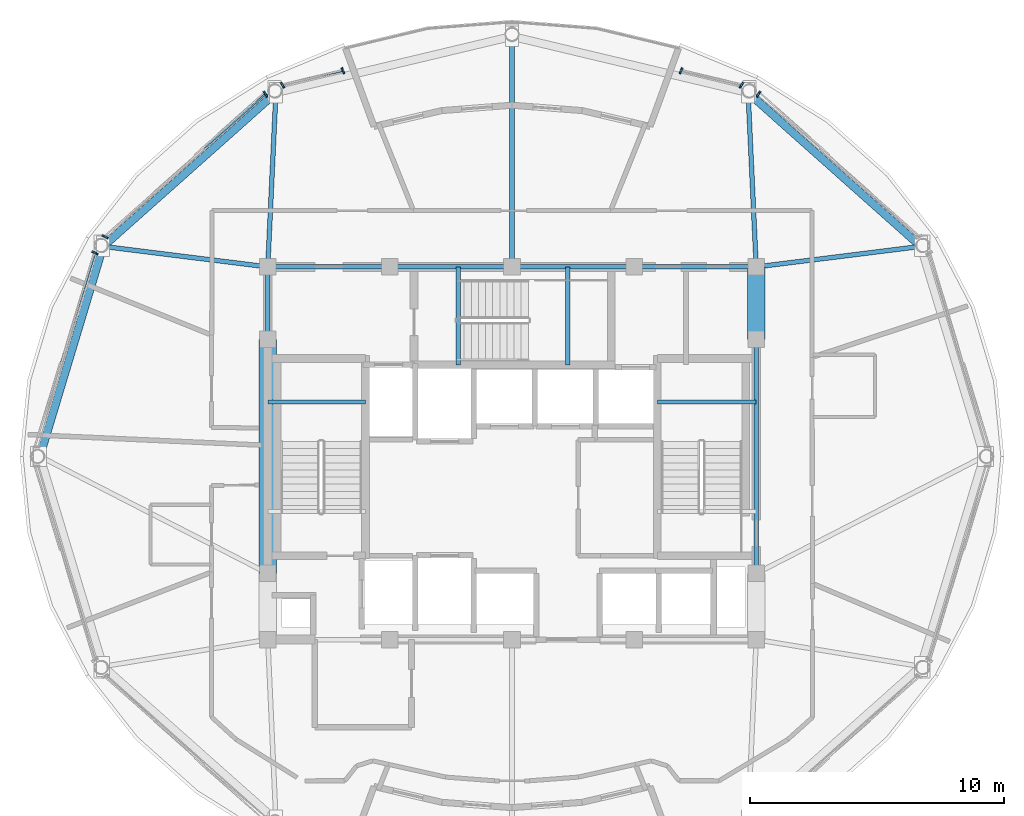
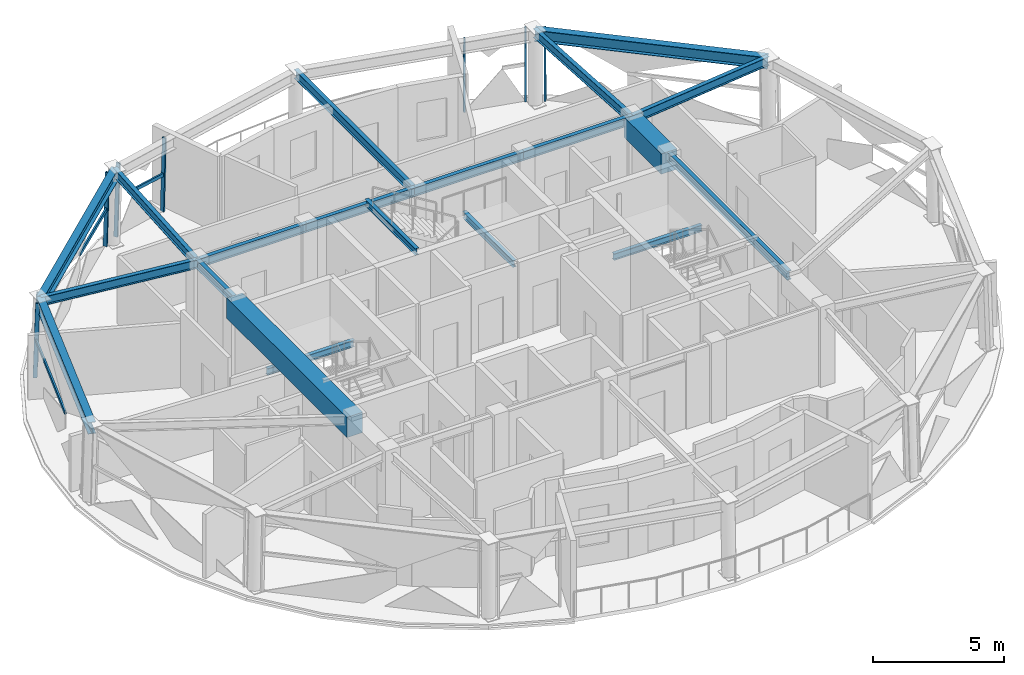
# One storey, part 3 of 13: 20 beams, 11 members, 5 elements without a shape of their own.
"""IFC4 building model written with IfcOpenShell, lengths in metres."""

from ifc_helpers import new_model, si_unit, direction, frame, origin, origin_2d, place, context, subcontext, project, spatial, rectangle, hollow_rectangle, i_section, extrude, material, layer, layer_set, material_profile, profile_set, type_object, element, aggregate, save


model = new_model("IFC4")

# Units and contexts
model_context = context("Model", 3, precision=1e-05, world=origin(), true_north=direction((0.0, 1.0)))
body_context = subcontext(model_context, "Body", "Model", "MODEL_VIEW")
ifc_project = project(units=[si_unit("LENGTHUNIT", "METRE"), si_unit("AREAUNIT", "SQUARE_METRE"), si_unit("VOLUMEUNIT", "CUBIC_METRE"), si_unit("PLANEANGLEUNIT", "RADIAN"), si_unit("MASSUNIT", "GRAM", prefix="KILO")], contexts=[model_context])

# Site, building, storey
site_placement = place(None, origin())
site = spatial("IfcSite", under=ifc_project, at=site_placement, CompositionType="ELEMENT")
building_placement = place(site_placement, origin())
building = spatial("IfcBuilding", under=site, at=building_placement, Name="Vantalir Tower", CompositionType="ELEMENT")
storey_placement = place(building_placement, frame((0.0, 0.0, 286.35009765625)))
storey = spatial("IfcBuildingStorey", under=building, at=storey_placement, Name="L72", CompositionType="ELEMENT", Elevation=286.35009765625)

# Beams
ifc_material_1 = material(Name="Concrete C60/75", Category="concrete")
ifc_material_profile_1 = material_profile(ifc_material_1, rectangle(XDim=0.699951171875, YDim=0.949951171875, at=origin_2d()), Name="Concrete C60/75")
ifc_profile_set_1 = profile_set([ifc_material_profile_1], Name="Concrete C60/75")
beam_type_1 = type_object("IfcBeamType", Name="BM-CB-700x950", PredefinedType="USERDEFINED", material=ifc_profile_set_1)
beam_1_placement = place(storey_placement, frame((41.10009765625, 29.60009765625, 3.094970703125), z_axis=(0.0, 1.0, 0.0), x_axis=(-1.0, 0.0, 0.0)))
element("IfcBeam", 1, at=beam_1_placement, inside=storey, type_object=beam_type_1, Name="L72 Core Coupling Girder 07", ObjectType="GIRDER", PredefinedType="USERDEFINED", context=body_context, shape_type="SweptSolid", body=[
    extrude(rectangle(XDim=0.699951171875, YDim=0.949951171875, at=origin_2d()), origin(), (0.0, 0.0, 1.0), 2.849853515625),
])
beam_2_placement = place(storey_placement, frame((21.89990234375, 29.60009765625, 3.094970703125), z_axis=(0.0, -1.0, 0.0), x_axis=(1.0, 0.0, 0.0)))
element("IfcBeam", 2, at=beam_2_placement, inside=storey, type_object=beam_type_1, Name="L72 Core Coupling Girder 13", ObjectType="GIRDER", PredefinedType="USERDEFINED", context=body_context, shape_type="SweptSolid", body=[
    extrude(rectangle(XDim=0.699951171875, YDim=0.949951171875, at=origin_2d()), origin(), (0.0, 0.0, 1.0), 9.2001953125),
])
ifc_material_2 = material(Name="Steel S355", Category="steel")
ifc_material_profile_2 = material_profile(ifc_material_2, i_section(OverallWidth=0.166015625, OverallDepth=0.306884765625, WebThickness=0.006591796875, FlangeThickness=0.01171875, at=origin_2d()), Name="Steel S355")
ifc_profile_set_2 = profile_set([ifc_material_profile_2], Name="Steel S355")
beam_type_2 = type_object("IfcBeamType", Name="BM-JS-305x165", PredefinedType="JOIST", material=ifc_profile_set_2)
beam_3_placement = place(storey_placement, frame((21.89990234375, 27.14501953125, 1.52099609375), z_axis=(1.0, 0.0, 0.0), x_axis=(0.0, 1.0, 0.0)))
element("IfcBeam", 3, at=beam_3_placement, inside=storey, type_object=beam_type_2, Name="L72 Stair ST1 Half-Landing Support Beam", PredefinedType="JOIST", context=body_context, shape_type="SweptSolid", body=[
    extrude(i_section(OverallWidth=0.166015625, OverallDepth=0.306884765625, WebThickness=0.006591796875, FlangeThickness=0.01171875, at=origin_2d()), origin(), (0.0, 0.0, 1.0), 3.840087890625),
])
beam_4_placement = place(storey_placement, frame((37.2099609375, 27.14501953125, 1.52099609375), z_axis=(1.0, 0.0, 0.0), x_axis=(0.0, 1.0, 0.0)))
element("IfcBeam", 4, at=beam_4_placement, inside=storey, type_object=beam_type_2, Name="L72 Stair ST2 Half-Landing Support Beam", PredefinedType="JOIST", context=body_context, shape_type="SweptSolid", body=[
    extrude(i_section(OverallWidth=0.166015625, OverallDepth=0.306884765625, WebThickness=0.006591796875, FlangeThickness=0.01171875, at=origin_2d()), origin(), (0.0, 0.0, 1.0), 3.89013671875),
])
for number, where, z_axis, x_axis, name in (
    (5, (29.385009765625, 28.60009765625, 3.595947265625), (0.0, 1.0, 0.0), (-1.0, 0.0, 0.0), "L73 Stair ST3 Well Nosing Trimmer Beam"),
    (6, (33.695068359375, 28.60009765625, 1.52099609375), (0.0, 1.0, 0.0), (-1.0, 0.0, 0.0), "L72 Stair ST3 Half-Landing Support Beam"),
):
    element("IfcBeam", number, at=place(storey_placement, frame(where, z_axis=z_axis, x_axis=x_axis)), inside=storey, type_object=beam_type_2, Name=name, PredefinedType="JOIST", context=body_context, shape_type="SweptSolid", body=[
        extrude(i_section(OverallWidth=0.166015625, OverallDepth=0.306884765625, WebThickness=0.006591796875, FlangeThickness=0.01171875, at=origin_2d()), origin(), (0.0, 0.0, 1.0), 3.849853515625),
    ])
ifc_material_profile_3 = material_profile(ifc_material_2, i_section(OverallWidth=0.179931640625, OverallDepth=0.4130859375, WebThickness=0.009521484375, FlangeThickness=0.01611328125, at=origin_2d()), Name="Steel S355")
ifc_profile_set_3 = profile_set([ifc_material_profile_3], Name="Steel S355")
beam_type_3 = type_object("IfcBeamType", Name="BM-RB-406x178", PredefinedType="BEAM", material=ifc_profile_set_3)
beam_5_placement = place(storey_placement, frame((41.10009765625, 20.39990234375, 3.364013671875), z_axis=(0.0, 1.0, 0.0), x_axis=(-1.0, 0.0, 0.0)))
element("IfcBeam", 7, at=beam_5_placement, inside=storey, type_object=beam_type_3, Name="L72 Core Coupling Girder 06", PredefinedType="BEAM", context=body_context, shape_type="SweptSolid", body=[
    extrude(i_section(OverallWidth=0.179931640625, OverallDepth=0.4130859375, WebThickness=0.009521484375, FlangeThickness=0.01611328125, at=origin_2d()), origin(), (0.0, 0.0, 1.0), 9.2001953125),
])
for number, where, z_axis, x_axis, name in (
    (8, (41.10009765625, 32.449951171875, 3.364013671875), (-1.0, 0.0, 0.0), (0.0, -1.0, 0.0), "L72 Core Coupling Girder 08"),
    (9, (36.300048828125, 32.449951171875, 3.364013671875), (-1.0, 0.0, 0.0), (0.0, -1.0, 0.0), "L72 Core Coupling Girder 09"),
    (10, (31.5, 32.449951171875, 3.364013671875), (-1.0, 0.0, 0.0), (0.0, -1.0, 0.0), "L72 Core Coupling Girder 10"),
    (11, (26.699951171875, 32.449951171875, 3.364013671875), (-1.0, 0.0, 0.0), (0.0, -1.0, 0.0), "L72 Core Coupling Girder 11"),
):
    element("IfcBeam", number, at=place(storey_placement, frame(where, z_axis=z_axis, x_axis=x_axis)), inside=storey, type_object=beam_type_3, Name=name, PredefinedType="BEAM", context=body_context, shape_type="SweptSolid", body=[
        extrude(i_section(OverallWidth=0.179931640625, OverallDepth=0.4130859375, WebThickness=0.009521484375, FlangeThickness=0.01611328125, at=origin_2d()), origin(), (0.0, 0.0, 1.0), 4.800048828125),
    ])
beam_6_placement = place(storey_placement, frame((21.89990234375, 32.449951171875, 3.364013671875), z_axis=(0.0, -1.0, 0.0), x_axis=(1.0, 0.0, 0.0)))
element("IfcBeam", 12, at=beam_6_placement, inside=storey, type_object=beam_type_3, Name="L72 Core Coupling Girder 12", PredefinedType="BEAM", context=body_context, shape_type="SweptSolid", body=[
    extrude(i_section(OverallWidth=0.179931640625, OverallDepth=0.4130859375, WebThickness=0.009521484375, FlangeThickness=0.01611328125, at=origin_2d()), origin(), (0.0, 0.0, 1.0), 2.849853515625),
])
beam_7_placement = place(storey_placement, frame((47.572998046875, 33.256103515625, 3.364013671875), z_axis=(-0.992333630483, -0.123587886993, 0.0), x_axis=(0.123587886993, -0.992333630483, 0.0)))
element("IfcBeam", 13, at=beam_7_placement, inside=storey, type_object=beam_type_3, Name="L72 Radial Floor Beam 02", PredefinedType="BEAM", context=body_context, shape_type="SweptSolid", body=[
    extrude(i_section(OverallWidth=0.179931640625, OverallDepth=0.4130859375, WebThickness=0.009521484375, FlangeThickness=0.01611328125, at=origin_2d()), origin(), (0.0, 0.0, 1.0), 6.52294921875),
])
beam_8_placement = place(storey_placement, frame((40.780029296875, 39.300048828125, 3.364013671875), z_axis=(0.04667372074, -0.998910188051, 0.0), x_axis=(0.998910188051, 0.04667372074, 0.0)))
element("IfcBeam", 14, at=beam_8_placement, inside=storey, type_object=beam_type_3, Name="L72 Radial Floor Beam 03", PredefinedType="BEAM", context=body_context, shape_type="SweptSolid", body=[
    extrude(i_section(OverallWidth=0.179931640625, OverallDepth=0.4130859375, WebThickness=0.009521484375, FlangeThickness=0.01611328125, at=origin_2d()), origin(), (0.0, 0.0, 1.0), 6.857666015625),
])
beam_9_placement = place(storey_placement, frame((31.5, 41.511962890625, 3.364013671875), z_axis=(0.0, -1.0, 0.0), x_axis=(1.0, 0.0, 0.0)))
element("IfcBeam", 15, at=beam_9_placement, inside=storey, type_object=beam_type_3, Name="L72 Radial Floor Beam 04", PredefinedType="BEAM", context=body_context, shape_type="SweptSolid", body=[
    extrude(i_section(OverallWidth=0.179931640625, OverallDepth=0.4130859375, WebThickness=0.009521484375, FlangeThickness=0.01611328125, at=origin_2d()), origin(), (0.0, 0.0, 1.0), 9.06201171875),
])
beam_10_placement = place(storey_placement, frame((22.219970703125, 39.300048828125, 3.364013671875), z_axis=(-0.04667372074, -0.998910188051, 0.0), x_axis=(0.998910188051, -0.04667372074, 0.0)))
element("IfcBeam", 16, at=beam_10_placement, inside=storey, type_object=beam_type_3, Name="L72 Radial Floor Beam 05", PredefinedType="BEAM", context=body_context, shape_type="SweptSolid", body=[
    extrude(i_section(OverallWidth=0.179931640625, OverallDepth=0.4130859375, WebThickness=0.009521484375, FlangeThickness=0.01611328125, at=origin_2d()), origin(), (0.0, 0.0, 1.0), 6.857666015625),
])
beam_11_placement = place(storey_placement, frame((15.427001953125, 33.256103515625, 3.364013671875), z_axis=(0.992333630483, -0.123587886993, 0.0), x_axis=(0.123587886993, 0.992333630483, 0.0)))
element("IfcBeam", 17, at=beam_11_placement, inside=storey, type_object=beam_type_3, Name="L72 Radial Floor Beam 06", PredefinedType="BEAM", context=body_context, shape_type="SweptSolid", body=[
    extrude(i_section(OverallWidth=0.179931640625, OverallDepth=0.4130859375, WebThickness=0.009521484375, FlangeThickness=0.01611328125, at=origin_2d()), origin(), (0.0, 0.0, 1.0), 6.52294921875),
])
ifc_material_3 = material(Name="Steel S460", Category="steel")
ifc_material_profile_4 = material_profile(ifc_material_3, i_section(OverallWidth=0.31201171875, OverallDepth=0.5419921875, WebThickness=0.0126953125, FlangeThickness=0.020263671875, at=origin_2d()), Name="Steel S460")
ifc_profile_set_4 = profile_set([ifc_material_profile_4], Name="Steel S460")
beam_type_4 = type_object("IfcBeamType", Name="BM-RG-533x312", PredefinedType="USERDEFINED", material=ifc_profile_set_4)
for number, where, z_axis, x_axis, name in (
    (18, (47.572998046875, 33.256103515625, 3.298828125), (-0.747095174026, 0.664717083388, 0.0), (-0.664717083388, -0.747095174026, 0.0), "L72 Circumferential Ring Girder 02"),
    (19, (22.219970703125, 39.300048828125, 3.298828125), (-0.747095174026, -0.664717083388, 0.0), (0.664717083388, -0.747095174026, 0.0), "L72 Circumferential Ring Girder 05"),
):
    element("IfcBeam", number, at=place(storey_placement, frame(where, z_axis=z_axis, x_axis=x_axis)), inside=storey, type_object=beam_type_4, Name=name, ObjectType="GIRDER", PredefinedType="USERDEFINED", context=body_context, shape_type="SweptSolid", body=[
        extrude(i_section(OverallWidth=0.31201171875, OverallDepth=0.5419921875, WebThickness=0.0126953125, FlangeThickness=0.020263671875, at=origin_2d()), origin(), (0.0, 0.0, 1.0), 9.092529296875),
    ])
beam_12_placement = place(storey_placement, frame((15.427001953125, 33.256103515625, 3.298828125), z_axis=(-0.288436105836, -0.957499145091, 0.0), x_axis=(0.957499145091, -0.288436105836, 0.0)))
element("IfcBeam", 20, at=beam_12_placement, inside=storey, type_object=beam_type_4, Name="L72 Circumferential Ring Girder 06", ObjectType="GIRDER", PredefinedType="USERDEFINED", context=body_context, shape_type="SweptSolid", body=[
    extrude(i_section(OverallWidth=0.31201171875, OverallDepth=0.5419921875, WebThickness=0.0126953125, FlangeThickness=0.020263671875, at=origin_2d()), origin(), (0.0, 0.0, 1.0), 8.62255859375),
])

# Curtain wall, member
ifc_material_4 = material(Name="Champagne-silver PVDF aluminium and double-silver Low-E glass", Category="aluminium")
ifc_layer = layer(ifc_material_4, 0.219970703125)
ifc_layer_set = layer_set([ifc_layer], Name="Champagne-silver PVDF aluminium and double-silver Low-E glass")
curtain_wall_type = type_object("IfcCurtainWallType", Name="CW-DIAMOND-Z4", PredefinedType="USERDEFINED", material=ifc_layer_set)
curtain_wall_1_placement = place(storey_placement, origin())
curtain_wall_1 = element("IfcCurtainWall", 21, at=curtain_wall_1_placement, inside=storey, type_object=curtain_wall_type, Name="L72 Quilted Pyramid-Diamond Curtain Wall S02", ObjectType="UNITISED CURTAIN WALL", PredefinedType="USERDEFINED")
ifc_material_5 = material(Name="Champagne-silver PVDF aluminium 6063-T6", Category="aluminium")
ifc_material_profile_5 = material_profile(ifc_material_5, hollow_rectangle(XDim=0.070068359375, YDim=0.1650390625, WallThickness=0.00390625, at=origin_2d()), Name="Champagne-silver PVDF aluminium 6063-T6")
ifc_profile_set_5 = profile_set([ifc_material_profile_5], Name="Champagne-silver PVDF aluminium 6063-T6")
member_type_1 = type_object("IfcMemberType", Name="CWM-165x70", PredefinedType="MULLION", material=ifc_profile_set_5)
member_1_placement = place(storey_placement, frame((41.218994140625, 39.287109375, 0.044921875), z_axis=(-0.015217806615, -0.023563055403, 0.999606522979), x_axis=(0.840039377769, -0.542525431476, 0.0)))
member_1 = element("IfcMember", 22, at=member_1_placement, type_object=member_type_1, Name="CW-L72-S02 Mullion 2", PredefinedType="MULLION", context=body_context, shape_type="SweptSolid", body=[
    extrude(hollow_rectangle(XDim=0.070068359375, YDim=0.1650390625, WallThickness=0.00390625, at=origin_2d()), origin(), (0.0, 0.0, 1.0), 3.4814453125),
])
aggregate(curtain_wall_1, [member_1])

# Curtain wall, members
curtain_wall_2_placement = place(storey_placement, origin())
curtain_wall_2 = element("IfcCurtainWall", 23, at=curtain_wall_2_placement, inside=storey, type_object=curtain_wall_type, Name="L72 Quilted Pyramid-Diamond Curtain Wall S03", ObjectType="UNITISED CURTAIN WALL", PredefinedType="USERDEFINED")
member_2_placement = place(storey_placement, frame((40.549072265625, 39.636962890625, 0.044921875), z_axis=(-0.015217806615, -0.023563055403, 0.999606522979), x_axis=(0.840039377769, -0.542525431476, 0.0)))
member_2 = element("IfcMember", 24, at=member_2_placement, type_object=member_type_1, Name="CW-L72-S03 Mullion 1", PredefinedType="MULLION", context=body_context, shape_type="SweptSolid", body=[
    extrude(hollow_rectangle(XDim=0.070068359375, YDim=0.1650390625, WallThickness=0.00390625, at=origin_2d()), origin(), (0.0, 0.0, 1.0), 3.4814453125),
])
member_3_placement = place(storey_placement, frame((38.1650390625, 40.205078125, 0.044921875), z_axis=(-0.010379308725, -0.024756053918, 0.999639638942), x_axis=(0.922224434742, -0.386655003801, 0.0)))
member_3 = element("IfcMember", 25, at=member_3_placement, type_object=member_type_1, Name="CW-L72-S03 Mullion 2", PredefinedType="MULLION", context=body_context, shape_type="SweptSolid", body=[
    extrude(hollow_rectangle(XDim=0.070068359375, YDim=0.1650390625, WallThickness=0.00390625, at=origin_2d()), origin(), (0.0, 0.0, 1.0), 3.481201171875),
])
aggregate(curtain_wall_2, [member_2, member_3])

curtain_wall_3_placement = place(storey_placement, origin())
curtain_wall_3 = element("IfcCurtainWall", 26, at=curtain_wall_3_placement, inside=storey, type_object=curtain_wall_type, Name="L72 Quilted Pyramid-Diamond Curtain Wall S04", ObjectType="UNITISED CURTAIN WALL", PredefinedType="USERDEFINED")
member_4_placement = place(storey_placement, frame((24.8359375, 40.205078125, 0.044921875), z_axis=(0.010098815874, -0.024756125025, 0.999642510196), x_axis=(0.92592254189, 0.37771344485, 0.0)))
member_4 = element("IfcMember", 27, at=member_4_placement, type_object=member_type_1, Name="CW-L72-S04 Mullion 1", PredefinedType="MULLION", context=body_context, shape_type="SweptSolid", body=[
    extrude(hollow_rectangle(XDim=0.070068359375, YDim=0.1650390625, WallThickness=0.00390625, at=origin_2d()), origin(), (0.0, 0.0, 1.0), 3.481201171875),
])
member_5_placement = place(storey_placement, frame((22.451904296875, 39.636962890625, 0.044921875), z_axis=(0.014937357227, -0.023563155063, 0.999610750784), x_axis=(0.844591752794, 0.535410843289, 0.0)))
member_5 = element("IfcMember", 28, at=member_5_placement, type_object=member_type_1, Name="CW-L72-S04 Mullion 2", PredefinedType="MULLION", context=body_context, shape_type="SweptSolid", body=[
    extrude(hollow_rectangle(XDim=0.070068359375, YDim=0.1650390625, WallThickness=0.00390625, at=origin_2d()), origin(), (0.0, 0.0, 1.0), 3.4814453125),
])

curtain_wall_4_placement = place(storey_placement, origin())
curtain_wall_4 = element("IfcCurtainWall", 29, at=curtain_wall_4_placement, inside=storey, type_object=curtain_wall_type, Name="L72 Quilted Pyramid-Diamond Curtain Wall S05", ObjectType="UNITISED CURTAIN WALL", PredefinedType="USERDEFINED")
member_6_placement = place(storey_placement, frame((21.781982421875, 39.287109375, 0.044921875), z_axis=(0.014937357227, -0.023563155063, 0.999610750784), x_axis=(0.844591752794, 0.535410843289, 0.0)))
member_6 = element("IfcMember", 30, at=member_6_placement, type_object=member_type_1, Name="CW-L72-S05 Mullion 1", PredefinedType="MULLION", context=body_context, shape_type="SweptSolid", body=[
    extrude(hollow_rectangle(XDim=0.070068359375, YDim=0.1650390625, WallThickness=0.00390625, at=origin_2d()), origin(), (0.0, 0.0, 1.0), 3.4814453125),
])
member_7_placement = place(storey_placement, frame((15.4619140625, 33.656982421875, 0.044921875), z_axis=(0.026156767027, -0.013464073107, 0.999567177469), x_axis=(0.457671144343, 0.889121546042, 0.0)))
member_7 = element("IfcMember", 31, at=member_7_placement, type_object=member_type_1, Name="CW-L72-S05 Mullion 2", PredefinedType="MULLION", context=body_context, shape_type="SweptSolid", body=[
    extrude(hollow_rectangle(XDim=0.070068359375, YDim=0.1650390625, WallThickness=0.00390625, at=origin_2d()), origin(), (0.0, 0.0, 1.0), 3.4814453125),
])

# Curtain wall, member
curtain_wall_5_placement = place(storey_placement, origin())
curtain_wall_5 = element("IfcCurtainWall", 32, at=curtain_wall_5_placement, inside=storey, type_object=curtain_wall_type, Name="L72 Quilted Pyramid-Diamond Curtain Wall S06", ObjectType="UNITISED CURTAIN WALL", PredefinedType="USERDEFINED")
member_8_placement = place(storey_placement, frame((15.05908203125, 33.02490234375, 0.044921875), z_axis=(0.026086689431, -0.013464097771, 0.999569008476), x_axis=(0.45864291977, 0.888620657055, 0.0)))
member_8 = element("IfcMember", 33, at=member_8_placement, type_object=member_type_1, Name="CW-L72-S06 Mullion 1", PredefinedType="MULLION", context=body_context, shape_type="SweptSolid", body=[
    extrude(hollow_rectangle(XDim=0.070068359375, YDim=0.1650390625, WallThickness=0.00390625, at=origin_2d()), origin(), (0.0, 0.0, 1.0), 3.4814453125),
])

# Member
ifc_material_profile_6 = material_profile(ifc_material_5, hollow_rectangle(XDim=0.074951171875, YDim=0.159912109375, WallThickness=0.00390625, at=origin_2d()), Name="Champagne-silver PVDF aluminium 6063-T6")
ifc_profile_set_6 = profile_set([ifc_material_profile_6], Name="Champagne-silver PVDF aluminium 6063-T6")
member_type_2 = type_object("IfcMemberType", Name="CWT-160x75", PredefinedType="USERDEFINED", material=ifc_profile_set_6)
member_9_placement = place(storey_placement, frame((24.85302734375, 40.162109375, 1.784912109375), z_axis=(-0.976149262489, -0.217100477527, 0.0), x_axis=(0.217100477527, -0.976149262489, 0.0)))
member_9 = element("IfcMember", 34, at=member_9_placement, type_object=member_type_2, Name="CW-L72-S04 Pyramid Fold Ridge Transom", ObjectType="TRANSOM", PredefinedType="USERDEFINED", context=body_context, shape_type="SweptSolid", body=[
    extrude(hollow_rectangle(XDim=0.074951171875, YDim=0.159912109375, WallThickness=0.00390625, at=origin_2d()), origin(), (0.0, 0.0, 1.0), 1.5205078125),
])

aggregate(curtain_wall_3, [member_4, member_5, member_9])

member_10_placement = place(storey_placement, frame((21.80810546875, 39.24609375, 1.784912109375), z_axis=(-0.751576409145, -0.659646042372, 0.0), x_axis=(0.659646042372, -0.751576409145, 0.0)))
member_10 = element("IfcMember", 35, at=member_10_placement, type_object=member_type_2, Name="CW-L72-S05 Pyramid Fold Ridge Transom", ObjectType="TRANSOM", PredefinedType="USERDEFINED", context=body_context, shape_type="SweptSolid", body=[
    extrude(hollow_rectangle(XDim=0.074951171875, YDim=0.159912109375, WallThickness=0.00390625, at=origin_2d()), origin(), (0.0, 0.0, 1.0), 3.2080078125),
])

aggregate(curtain_wall_4, [member_6, member_7, member_10])

member_11_placement = place(storey_placement, frame((15.10400390625, 33.0009765625, 1.784912109375), z_axis=(-0.292637752371, -0.956223376564, 0.0), x_axis=(0.956223376564, -0.292637752371, 0.0)))
member_11 = element("IfcMember", 36, at=member_11_placement, type_object=member_type_2, Name="CW-L72-S06 Pyramid Fold Ridge Transom", ObjectType="TRANSOM", PredefinedType="USERDEFINED", context=body_context, shape_type="SweptSolid", body=[
    extrude(hollow_rectangle(XDim=0.074951171875, YDim=0.159912109375, WallThickness=0.00390625, at=origin_2d()), origin(), (0.0, 0.0, 1.0), 4.94140625),
])

aggregate(curtain_wall_5, [member_8, member_11])

save(model, "model.ifc")
